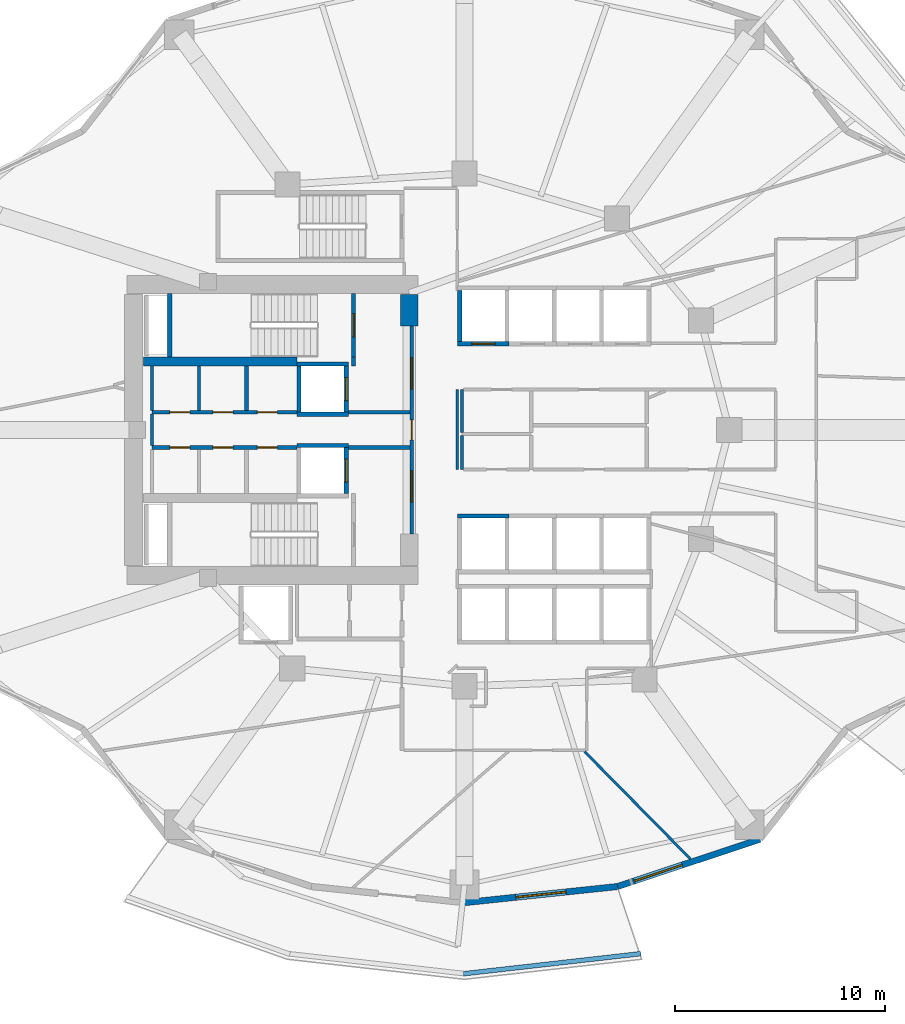
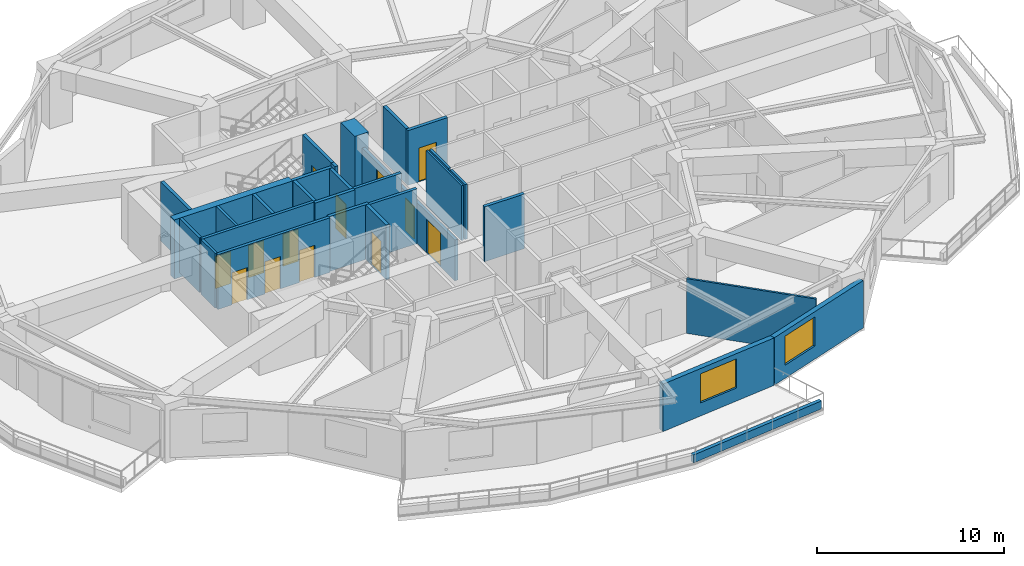
# One storey, part 4 of 13: 30 walls, 13 doors, 2 windows, 15 openings.
"""IFC4 building model written with IfcOpenShell, lengths in metres."""

from ifc_helpers import new_model, si_unit, direction, frame, frame_2d, origin, place, context, subcontext, project, spatial, rectangle, extrude, material, layer, layer_set, type_object, element, fill, save


model = new_model("IFC4")

# Units and contexts
model_context = context("Model", 3, precision=1e-05, world=origin(), true_north=direction((0.0, 1.0)))
body_context = subcontext(model_context, "Body", "Model", "MODEL_VIEW")
ifc_project = project(units=[si_unit("LENGTHUNIT", "METRE"), si_unit("AREAUNIT", "SQUARE_METRE"), si_unit("VOLUMEUNIT", "CUBIC_METRE"), si_unit("PLANEANGLEUNIT", "RADIAN"), si_unit("MASSUNIT", "GRAM", prefix="KILO")], contexts=[model_context])

# Site, building, storey
site_placement = place(None, origin())
site = spatial("IfcSite", under=ifc_project, at=site_placement, CompositionType="ELEMENT")
building_placement = place(site_placement, origin())
building = spatial("IfcBuilding", under=site, at=building_placement, Name="Kolvaren Gate Tower and Convention Centre", CompositionType="ELEMENT")
storey_placement = place(building_placement, frame((0.0, 0.0, 49.60009765625)))
storey = spatial("IfcBuildingStorey", under=building, at=storey_placement, Name="L11", CompositionType="ELEMENT", Elevation=49.60009765625)

# Wall
ifc_material_1 = material(Name="Autoclaved Aerated Masonry Blockwork Class 4 (4.0 MPa)", Category="masonry")
ifc_layer_1 = layer(ifc_material_1, 0.179931640625)
ifc_layer_set_1 = layer_set([ifc_layer_1], Name="Autoclaved Aerated Masonry Blockwork Class 4 (4.0 MPa)")
wall_type_1 = type_object("IfcWallType", Name="ARCH-WL-COMP-180", PredefinedType="SOLIDWALL", material=ifc_layer_set_1)
wall_1_placement = place(storey_placement, frame((24.85009765625, 30.0400390625, 0.0), z_axis=(0.0, 0.0, 1.0), x_axis=(0.0, 1.0, 0.0)))
element("IfcWall", 1, at=wall_1_placement, inside=storey, type_object=wall_type_1, Name="Interior Partition WL-L11-INT-002", PredefinedType="SOLIDWALL", context=body_context, shape_type="SweptSolid", body=[
    extrude(rectangle(XDim=0.419921875, YDim=0.179931640625, at=frame_2d((0.2099609375, 0.0))), origin(), (0.0, 0.0, 1.0), 3.56982421875),
])

# Wall, openings, doors
wall_2_placement = place(storey_placement, frame((27.6201171875, 22.050048828125, 0.0), z_axis=(0.0, 0.0, 1.0), x_axis=(0.0, 1.0, 0.0)))
wall_2 = element("IfcWall", 2, at=wall_2_placement, inside=storey, type_object=wall_type_1, Name="Interior Partition WL-L11-INT-003", PredefinedType="SOLIDWALL", context=body_context, shape_type="SweptSolid", body=[
    extrude(rectangle(XDim=9.89990234375, YDim=0.179931640625, at=frame_2d((4.949951171875, 0.0))), origin(), (0.0, 0.0, 1.0), 2.661865234375),
])
opening_1_placement = place(wall_2_placement, frame((4.47509765625, 0.0, 0.0)))
opening_1 = element("IfcOpeningElement", 3, at=opening_1_placement, cuts=wall_2, Name="Opening DR-01", PredefinedType="OPENING", context=body_context, shape_type="SweptSolid", body=[
    extrude(rectangle(XDim=0.949951171875, YDim=2.10009765625, at=frame_2d((0.47509765625, 1.050048828125))), frame((0.0, 0.099853515625, 0.0), z_axis=(0.0, -1.0, 0.0), x_axis=(1.0, 0.0, 0.0)), (0.0, 0.0, 1.0), 0.199951171875),
])
opening_2_placement = place(wall_2_placement, frame((6.889892578125, 0.0, 0.0)))
opening_2 = element("IfcOpeningElement", 4, at=opening_2_placement, cuts=wall_2, Name="Opening DL-01", PredefinedType="OPENING", context=body_context, shape_type="SweptSolid", body=[
    extrude(rectangle(XDim=1.5, YDim=2.199951171875, at=frame_2d((0.75, 1.10009765625))), frame((0.0, 0.099853515625, 0.0), z_axis=(0.0, -1.0, 0.0), x_axis=(1.0, 0.0, 0.0)), (0.0, 0.0, 1.0), 0.199951171875),
])
opening_3_placement = place(wall_2_placement, frame((1.510009765625, 0.0, 0.0)))
opening_3 = element("IfcOpeningElement", 5, at=opening_3_placement, cuts=wall_2, Name="Opening DL-01", PredefinedType="OPENING", context=body_context, shape_type="SweptSolid", body=[
    extrude(rectangle(XDim=1.5, YDim=2.199951171875, at=frame_2d((0.75, 1.10009765625))), frame((0.0, 0.099853515625, 0.0), z_axis=(0.0, -1.0, 0.0), x_axis=(1.0, 0.0, 0.0)), (0.0, 0.0, 1.0), 0.199951171875),
])
ifc_material_2 = material(Name="Painted Architectural Steelwork ASTM A500 Grade C 345 MPa", Category="steel")
door_type_1 = type_object("IfcDoorType", Name="ARCH-DR-LOBBY-1500", OperationType="DOUBLE_DOOR_SINGLE_SWING", PredefinedType="DOOR", material=ifc_material_2)
door_1_placement = place(opening_2_placement, origin())
door_1 = element("IfcDoor", 6, at=door_1_placement, inside=storey, type_object=door_type_1, Name="North Firefighting Stair and Lift Lobby Door", OperationType="DOUBLE_DOOR_SINGLE_SWING", OverallHeight=2.199951171875, OverallWidth=1.5, PredefinedType="DOOR", context=body_context, shape_type="SweptSolid", body=[
    extrude(rectangle(XDim=1.5, YDim=2.199951171875, at=frame_2d((0.75, 1.10009765625))), frame((0.0, 0.02490234375, 0.0), z_axis=(0.0, -1.0, 0.0), x_axis=(1.0, 0.0, 0.0)), (0.0, 0.0, 1.0), 0.050048828125),
])
fill(opening_2, door_1)
door_2_placement = place(opening_3_placement, origin())
door_2 = element("IfcDoor", 7, at=door_2_placement, inside=storey, type_object=door_type_1, Name="South Firefighting Stair and Lift Lobby Door", OperationType="DOUBLE_DOOR_SINGLE_SWING", OverallHeight=2.199951171875, OverallWidth=1.5, PredefinedType="DOOR", context=body_context, shape_type="SweptSolid", body=[
    extrude(rectangle(XDim=1.5, YDim=2.199951171875, at=frame_2d((0.75, 1.10009765625))), frame((0.0, 0.02490234375, 0.0), z_axis=(0.0, -1.0, 0.0), x_axis=(1.0, 0.0, 0.0)), (0.0, 0.0, 1.0), 0.050048828125),
])
fill(opening_3, door_2)
door_type_2 = type_object("IfcDoorType", Name="ARCH-DR-RISER-950", OperationType="SINGLE_SWING_RIGHT", PredefinedType="DOOR", material=ifc_material_2)
door_3_placement = place(opening_1_placement, origin())
door_3 = element("IfcDoor", 8, at=door_3_placement, inside=storey, type_object=door_type_2, Name="Central MEP Service Corridor Door", OperationType="SINGLE_SWING_LEFT", OverallHeight=2.10009765625, OverallWidth=0.949951171875, PredefinedType="DOOR", context=body_context, shape_type="SweptSolid", body=[
    extrude(rectangle(XDim=0.949951171875, YDim=2.10009765625, at=frame_2d((0.47509765625, 1.050048828125))), frame((0.0, 0.02490234375, 0.0), z_axis=(0.0, -1.0, 0.0), x_axis=(1.0, 0.0, 0.0)), (0.0, 0.0, 1.0), 0.050048828125),
])
fill(opening_1, door_3)

wall_3_placement = place(storey_placement, frame((15.25, 27.840087890625, 0.0), z_axis=(0.0, 0.0, 1.0), x_axis=(1.0, 0.0, 0.0)))
wall_3 = element("IfcWall", 9, at=wall_3_placement, inside=storey, type_object=wall_type_1, Name="Interior Partition WL-L11-INT-004", PredefinedType="SOLIDWALL", context=body_context, shape_type="SweptSolid", body=[
    extrude(rectangle(XDim=6.89990234375, YDim=0.179931640625, at=frame_2d((3.449951171875, 0.0))), origin(), (0.0, 0.0, 1.0), 3.56982421875),
])
opening_4_placement = place(wall_3_placement, frame((5.02001953125, 0.0, 0.0)))
opening_4 = element("IfcOpeningElement", 10, at=opening_4_placement, cuts=wall_3, Name="Opening DR-01", PredefinedType="OPENING", context=body_context, shape_type="SweptSolid", body=[
    extrude(rectangle(XDim=0.949951171875, YDim=2.10009765625, at=frame_2d((0.47509765625, 1.050048828125))), frame((0.0, 0.099853515625, 0.0), z_axis=(0.0, -1.0, 0.0), x_axis=(1.0, 0.0, 0.0)), (0.0, 0.0, 1.0), 0.199951171875),
])
opening_5_placement = place(wall_3_placement, frame((0.85498046875, 0.0, 0.0)))
opening_5 = element("IfcOpeningElement", 11, at=opening_5_placement, cuts=wall_3, Name="Opening DR-01", PredefinedType="OPENING", context=body_context, shape_type="SweptSolid", body=[
    extrude(rectangle(XDim=0.949951171875, YDim=2.10009765625, at=frame_2d((0.47509765625, 1.050048828125))), frame((0.0, 0.099853515625, 0.0), z_axis=(0.0, -1.0, 0.0), x_axis=(1.0, 0.0, 0.0)), (0.0, 0.0, 1.0), 0.199951171875),
])
opening_6_placement = place(wall_3_placement, frame((2.89990234375, 0.0, 0.0)))
opening_6 = element("IfcOpeningElement", 12, at=opening_6_placement, cuts=wall_3, Name="Opening DR-01", PredefinedType="OPENING", context=body_context, shape_type="SweptSolid", body=[
    extrude(rectangle(XDim=0.949951171875, YDim=2.10009765625, at=frame_2d((0.47509765625, 1.050048828125))), frame((0.0, 0.099853515625, 0.0), z_axis=(0.0, -1.0, 0.0), x_axis=(1.0, 0.0, 0.0)), (0.0, 0.0, 1.0), 0.199951171875),
])
door_4_placement = place(opening_4_placement, origin())
door_4 = element("IfcDoor", 13, at=door_4_placement, inside=storey, type_object=door_type_2, Name="Electrical Switchgear Closet Door", OperationType="SINGLE_SWING_RIGHT", OverallHeight=2.10009765625, OverallWidth=0.949951171875, PredefinedType="DOOR", context=body_context, shape_type="SweptSolid", body=[
    extrude(rectangle(XDim=0.949951171875, YDim=2.10009765625, at=frame_2d((0.47509765625, 1.050048828125))), frame((0.0, 0.02490234375, 0.0), z_axis=(0.0, -1.0, 0.0), x_axis=(1.0, 0.0, 0.0)), (0.0, 0.0, 1.0), 0.050048828125),
])
fill(opening_4, door_4)
door_5_placement = place(opening_5_placement, origin())
door_5 = element("IfcDoor", 14, at=door_5_placement, inside=storey, type_object=door_type_2, Name="Staff Accessible WC Door", OperationType="SINGLE_SWING_RIGHT", OverallHeight=2.10009765625, OverallWidth=0.949951171875, PredefinedType="DOOR", context=body_context, shape_type="SweptSolid", body=[
    extrude(rectangle(XDim=0.949951171875, YDim=2.10009765625, at=frame_2d((0.47509765625, 1.050048828125))), frame((0.0, 0.02490234375, 0.0), z_axis=(0.0, -1.0, 0.0), x_axis=(1.0, 0.0, 0.0)), (0.0, 0.0, 1.0), 0.050048828125),
])
fill(opening_5, door_5)
door_6_placement = place(opening_6_placement, origin())
door_6 = element("IfcDoor", 15, at=door_6_placement, inside=storey, type_object=door_type_2, Name="Housekeeping Sink Closet Door", OperationType="SINGLE_SWING_LEFT", OverallHeight=2.10009765625, OverallWidth=0.949951171875, PredefinedType="DOOR", context=body_context, shape_type="SweptSolid", body=[
    extrude(rectangle(XDim=0.949951171875, YDim=2.10009765625, at=frame_2d((0.47509765625, 1.050048828125))), frame((0.0, 0.02490234375, 0.0), z_axis=(0.0, -1.0, 0.0), x_axis=(1.0, 0.0, 0.0)), (0.0, 0.0, 1.0), 0.050048828125),
])
fill(opening_6, door_6)

# Wall
wall_4_placement = place(storey_placement, frame((24.60009765625, 27.840087890625, 0.0), z_axis=(0.0, 0.0, 1.0), x_axis=(1.0, 0.0, 0.0)))
element("IfcWall", 16, at=wall_4_placement, inside=storey, type_object=wall_type_1, Name="Interior Partition WL-L11-INT-004 (2)", PredefinedType="SOLIDWALL", context=body_context, shape_type="SweptSolid", body=[
    extrude(rectangle(XDim=2.927978515625, YDim=0.179931640625, at=frame_2d((1.4638671875, 0.0))), origin(), (0.0, 0.0, 1.0), 3.56982421875),
])

# Wall, openings, doors
wall_5_placement = place(storey_placement, frame((15.25, 26.159912109375, 0.0), z_axis=(0.0, 0.0, 1.0), x_axis=(1.0, 0.0, 0.0)))
wall_5 = element("IfcWall", 17, at=wall_5_placement, inside=storey, type_object=wall_type_1, Name="Interior Partition WL-L11-INT-005", PredefinedType="SOLIDWALL", context=body_context, shape_type="SweptSolid", body=[
    extrude(rectangle(XDim=6.89990234375, YDim=0.179931640625, at=frame_2d((3.449951171875, 0.0))), origin(), (0.0, 0.0, 1.0), 3.56982421875),
])
opening_7_placement = place(wall_5_placement, frame((5.02001953125, 0.0, 0.0)))
opening_7 = element("IfcOpeningElement", 18, at=opening_7_placement, cuts=wall_5, Name="Opening DR-01", PredefinedType="OPENING", context=body_context, shape_type="SweptSolid", body=[
    extrude(rectangle(XDim=0.949951171875, YDim=2.10009765625, at=frame_2d((0.47509765625, 1.050048828125))), frame((0.0, 0.099853515625, 0.0), z_axis=(0.0, -1.0, 0.0), x_axis=(1.0, 0.0, 0.0)), (0.0, 0.0, 1.0), 0.199951171875),
])
opening_8_placement = place(wall_5_placement, frame((0.85498046875, 0.0, 0.0)))
opening_8 = element("IfcOpeningElement", 19, at=opening_8_placement, cuts=wall_5, Name="Opening DR-01", PredefinedType="OPENING", context=body_context, shape_type="SweptSolid", body=[
    extrude(rectangle(XDim=0.949951171875, YDim=2.10009765625, at=frame_2d((0.47509765625, 1.050048828125))), frame((0.0, 0.099853515625, 0.0), z_axis=(0.0, -1.0, 0.0), x_axis=(1.0, 0.0, 0.0)), (0.0, 0.0, 1.0), 0.199951171875),
])
opening_9_placement = place(wall_5_placement, frame((2.89990234375, 0.0, 0.0)))
opening_9 = element("IfcOpeningElement", 20, at=opening_9_placement, cuts=wall_5, Name="Opening DR-01", PredefinedType="OPENING", context=body_context, shape_type="SweptSolid", body=[
    extrude(rectangle(XDim=0.949951171875, YDim=2.10009765625, at=frame_2d((0.47509765625, 1.050048828125))), frame((0.0, 0.099853515625, 0.0), z_axis=(0.0, -1.0, 0.0), x_axis=(1.0, 0.0, 0.0)), (0.0, 0.0, 1.0), 0.199951171875),
])
door_7_placement = place(opening_7_placement, origin())
door_7 = element("IfcDoor", 21, at=door_7_placement, inside=storey, type_object=door_type_2, Name="Domestic Water Meter Closet Door", OperationType="SINGLE_SWING_LEFT", OverallHeight=2.10009765625, OverallWidth=0.949951171875, PredefinedType="DOOR", context=body_context, shape_type="SweptSolid", body=[
    extrude(rectangle(XDim=0.949951171875, YDim=2.10009765625, at=frame_2d((0.47509765625, 1.050048828125))), frame((0.0, 0.02490234375, 0.0), z_axis=(0.0, -1.0, 0.0), x_axis=(1.0, 0.0, 0.0)), (0.0, 0.0, 1.0), 0.050048828125),
])
fill(opening_7, door_7)
door_8_placement = place(opening_8_placement, origin())
door_8 = element("IfcDoor", 22, at=door_8_placement, inside=storey, type_object=door_type_2, Name="Beverage Service Pantry Door", OperationType="SINGLE_SWING_RIGHT", OverallHeight=2.10009765625, OverallWidth=0.949951171875, PredefinedType="DOOR", context=body_context, shape_type="SweptSolid", body=[
    extrude(rectangle(XDim=0.949951171875, YDim=2.10009765625, at=frame_2d((0.47509765625, 1.050048828125))), frame((0.0, 0.02490234375, 0.0), z_axis=(0.0, -1.0, 0.0), x_axis=(1.0, 0.0, 0.0)), (0.0, 0.0, 1.0), 0.050048828125),
])
fill(opening_8, door_8)
door_9_placement = place(opening_9_placement, origin())
door_9 = element("IfcDoor", 23, at=door_9_placement, inside=storey, type_object=door_type_2, Name="Archive Supply Closet Door", OperationType="SINGLE_SWING_LEFT", OverallHeight=2.10009765625, OverallWidth=0.949951171875, PredefinedType="DOOR", context=body_context, shape_type="SweptSolid", body=[
    extrude(rectangle(XDim=0.949951171875, YDim=2.10009765625, at=frame_2d((0.47509765625, 1.050048828125))), frame((0.0, 0.02490234375, 0.0), z_axis=(0.0, -1.0, 0.0), x_axis=(1.0, 0.0, 0.0)), (0.0, 0.0, 1.0), 0.050048828125),
])
fill(opening_9, door_9)

# Walls
wall_6_placement = place(storey_placement, frame((24.60009765625, 26.159912109375, 0.0), z_axis=(0.0, 0.0, 1.0), x_axis=(1.0, 0.0, 0.0)))
element("IfcWall", 24, at=wall_6_placement, inside=storey, type_object=wall_type_1, Name="Interior Partition WL-L11-INT-005 (2)", PredefinedType="SOLIDWALL", context=body_context, shape_type="SweptSolid", body=[
    extrude(rectangle(XDim=2.927978515625, YDim=0.179931640625, at=frame_2d((1.4638671875, 0.0))), origin(), (0.0, 0.0, 1.0), 3.56982421875),
])
wall_7_placement = place(storey_placement, frame((19.75, 27.931884765625, 0.0), z_axis=(0.0, 0.0, 1.0), x_axis=(0.0, 1.0, 0.0)))
element("IfcWall", 25, at=wall_7_placement, inside=storey, type_object=wall_type_1, Name="Interior Partition WL-L11-INT-008", PredefinedType="SOLIDWALL", context=body_context, shape_type="SweptSolid", body=[
    extrude(rectangle(XDim=2.106201171875, YDim=0.179931640625, at=frame_2d((1.05322265625, 0.0))), origin(), (0.0, 0.0, 1.0), 3.56982421875),
])
ifc_material_3 = material(Name="Fire-Rated Acoustic Gypsum Stud Partition", Category="gypsum")
ifc_layer_2 = layer(ifc_material_3, 0.1201171875)
ifc_layer_set_2 = layer_set([ifc_layer_2], Name="Fire-Rated Acoustic Gypsum Stud Partition")
wall_type_2 = type_object("IfcWallType", Name="ARCH-WL-PART-120", PredefinedType="PARTITIONING", material=ifc_layer_set_2)
wall_8_placement = place(storey_placement, frame((29.780029296875, 25.1201171875, 0.0), z_axis=(0.0, 0.0, 1.0), x_axis=(0.0, 1.0, 0.0)))
element("IfcWall", 26, at=wall_8_placement, inside=storey, type_object=wall_type_2, Name="Interior Partition WL-L11-INT-029", PredefinedType="PARTITIONING", context=body_context, shape_type="SweptSolid", body=[
    extrude(rectangle(XDim=3.7998046875, YDim=0.1201171875, at=frame_2d((1.89990234375, 0.0))), origin(), (0.0, 0.0, 1.0), 3.56982421875),
])
wall_9_placement = place(storey_placement, frame((35.841064453125, 11.68798828125, 0.0), z_axis=(0.0, 0.0, 1.0), x_axis=(0.702122050881, -0.712056616897, 0.0)))
element("IfcWall", 27, at=wall_9_placement, inside=storey, type_object=wall_type_2, Name="Interior Partition WL-L11-INT-056", PredefinedType="PARTITIONING", context=body_context, shape_type="SweptSolid", body=[
    extrude(rectangle(XDim=7.17578125, YDim=0.1201171875, at=frame_2d((3.587890625, 0.0))), origin(), (0.0, 0.0, 1.0), 3.56982421875),
])
ifc_material_4 = material(Name="Piedmont Cream Honed Limestone Cladding", Category="masonry")
ifc_layer_3 = layer(ifc_material_4, 0.219970703125)
ifc_layer_set_3 = layer_set([ifc_layer_3], Name="Piedmont Cream Honed Limestone Cladding")
wall_type_3 = type_object("IfcWallType", Name="ARCH-WL-PLANTER-220", PredefinedType="PARAPET", material=ifc_layer_set_3)
wall_10_placement = place(storey_placement, frame((30.07958984375, 1.1162109375, 0.0), z_axis=(0.0, 0.0, 1.0), x_axis=(0.993644541351, 0.112563428535, 0.0)))
element("IfcWall", 28, at=wall_10_placement, inside=storey, type_object=wall_type_3, Name="Vertical-Forest Balcony Stone Planter Kerb PK-L11-3.3", PredefinedType="PARAPET", context=body_context, shape_type="SweptSolid", body=[
    extrude(rectangle(XDim=8.49560546875, YDim=0.219970703125, at=frame_2d((4.247802734375, 0.0))), origin(), (0.0, 0.0, 1.0), 0.52001953125),
])
ifc_layer_4 = layer(ifc_material_1, 0.199951171875)
ifc_layer_set_4 = layer_set([ifc_layer_4], Name="Autoclaved Aerated Masonry Blockwork Class 4 (4.0 MPa)")
wall_type_4 = type_object("IfcWallType", Name="ARCH-WL-SHAFT-200", PredefinedType="SOLIDWALL", material=ifc_layer_set_4)
for number, where, z_axis, x_axis, name in (
    (29, (22.14990234375, 30.139892578125, 0.0), (0.0, 0.0, 1.0), (1.0, 0.0, 0.0), "Elevator FF-01 L11 Fire Shaft Wall N"),
    (30, (22.14990234375, 27.739990234375, 0.0), (0.0, 0.0, 1.0), (1.0, 0.0, 0.0), "Elevator FF-01 L11 Fire Shaft Wall S"),
):
    element("IfcWall", number, at=place(storey_placement, frame(where, z_axis=z_axis, x_axis=x_axis)), inside=storey, type_object=wall_type_4, Name=name, PredefinedType="SOLIDWALL", context=body_context, shape_type="SweptSolid", body=[
        extrude(rectangle(XDim=2.4501953125, YDim=0.199951171875, at=frame_2d((1.22509765625, 0.0))), origin(), (0.0, 0.0, 1.0), 3.56982421875),
    ])
wall_11_placement = place(storey_placement, frame((22.25, 27.85009765625, 0.0), z_axis=(0.0, 0.0, 1.0), x_axis=(0.0, 1.0, 0.0)))
element("IfcWall", 31, at=wall_11_placement, inside=storey, type_object=wall_type_4, Name="Elevator FF-01 L11 Fire Shaft Wall W", PredefinedType="SOLIDWALL", context=body_context, shape_type="SweptSolid", body=[
    extrude(rectangle(XDim=2.179931640625, YDim=0.199951171875, at=frame_2d((1.08984375, 0.0))), origin(), (0.0, 0.0, 1.0), 3.56982421875),
])

# Wall, opening, door
wall_12_placement = place(storey_placement, frame((24.5, 27.85009765625, 0.0), z_axis=(0.0, 0.0, 1.0), x_axis=(0.0, 1.0, 0.0)))
wall_12 = element("IfcWall", 32, at=wall_12_placement, inside=storey, type_object=wall_type_4, Name="Elevator FF-01 L11 Fire Shaft Wall E", PredefinedType="SOLIDWALL", context=body_context, shape_type="SweptSolid", body=[
    extrude(rectangle(XDim=2.179931640625, YDim=0.199951171875, at=frame_2d((1.08984375, 0.0))), origin(), (0.0, 0.0, 1.0), 3.56982421875),
])
opening_10_placement = place(wall_12_placement, frame((0.5400390625, 0.0, 0.0)))
opening_10 = element("IfcOpeningElement", 33, at=opening_10_placement, cuts=wall_12, Name="Opening LD", PredefinedType="OPENING", context=body_context, shape_type="SweptSolid", body=[
    extrude(rectangle(XDim=1.10009765625, YDim=2.199951171875, at=frame_2d((0.550048828125, 1.10009765625))), frame((0.0, 0.10986328125, 0.0), z_axis=(0.0, -1.0, 0.0), x_axis=(1.0, 0.0, 0.0)), (0.0, 0.0, 1.0), 0.219970703125),
])
ifc_material_5 = material(Name="Brushed Stainless Steel Grade 316L", Category="steel")
door_type_3 = type_object("IfcDoorType", Name="ARCH-DR-LIFT-1100", OperationType="SLIDING_TO_LEFT", PredefinedType="DOOR", material=ifc_material_5)
door_10_placement = place(opening_10_placement, origin())
door_10 = element("IfcDoor", 34, at=door_10_placement, inside=storey, type_object=door_type_3, Name="Elevator FF-01 L11 Sliding Landing Door", OperationType="SLIDING_TO_LEFT", OverallHeight=2.199951171875, OverallWidth=1.10009765625, PredefinedType="DOOR", context=body_context, shape_type="SweptSolid", body=[
    extrude(rectangle(XDim=1.10009765625, YDim=2.199951171875, at=frame_2d((0.550048828125, 1.10009765625))), frame((0.0, 0.02490234375, 0.0), z_axis=(0.0, -1.0, 0.0), x_axis=(1.0, 0.0, 0.0)), (0.0, 0.0, 1.0), 0.050048828125),
])
fill(opening_10, door_10)

# Wall
wall_13_placement = place(storey_placement, frame((22.14990234375, 26.260009765625, 0.0), z_axis=(0.0, 0.0, 1.0), x_axis=(1.0, 0.0, 0.0)))
element("IfcWall", 35, at=wall_13_placement, inside=storey, type_object=wall_type_4, Name="Elevator FF-02 L11 Fire Shaft Wall N", PredefinedType="SOLIDWALL", context=body_context, shape_type="SweptSolid", body=[
    extrude(rectangle(XDim=2.4501953125, YDim=0.199951171875, at=frame_2d((1.22509765625, 0.0))), origin(), (0.0, 0.0, 1.0), 3.56982421875),
])

# Wall, opening, door
wall_14_placement = place(storey_placement, frame((24.5, 23.969970703125, 0.0), z_axis=(0.0, 0.0, 1.0), x_axis=(0.0, 1.0, 0.0)))
wall_14 = element("IfcWall", 36, at=wall_14_placement, inside=storey, type_object=wall_type_4, Name="Elevator FF-02 L11 Fire Shaft Wall E", PredefinedType="SOLIDWALL", context=body_context, shape_type="SweptSolid", body=[
    extrude(rectangle(XDim=2.179931640625, YDim=0.199951171875, at=frame_2d((1.08984375, 0.0))), origin(), (0.0, 0.0, 1.0), 3.56982421875),
])
opening_11_placement = place(wall_14_placement, frame((0.5400390625, 0.0, 0.0)))
opening_11 = element("IfcOpeningElement", 37, at=opening_11_placement, cuts=wall_14, Name="Opening LD", PredefinedType="OPENING", context=body_context, shape_type="SweptSolid", body=[
    extrude(rectangle(XDim=1.10009765625, YDim=2.199951171875, at=frame_2d((0.550048828125, 1.10009765625))), frame((0.0, 0.10986328125, 0.0), z_axis=(0.0, -1.0, 0.0), x_axis=(1.0, 0.0, 0.0)), (0.0, 0.0, 1.0), 0.219970703125),
])
door_11_placement = place(opening_11_placement, origin())
door_11 = element("IfcDoor", 38, at=door_11_placement, inside=storey, type_object=door_type_3, Name="Elevator FF-02 L11 Sliding Landing Door", OperationType="SLIDING_TO_LEFT", OverallHeight=2.199951171875, OverallWidth=1.10009765625, PredefinedType="DOOR", context=body_context, shape_type="SweptSolid", body=[
    extrude(rectangle(XDim=1.10009765625, YDim=2.199951171875, at=frame_2d((0.550048828125, 1.10009765625))), frame((0.0, 0.02490234375, 0.0), z_axis=(0.0, -1.0, 0.0), x_axis=(1.0, 0.0, 0.0)), (0.0, 0.0, 1.0), 0.050048828125),
])
fill(opening_11, door_11)

wall_15_placement = place(storey_placement, frame((29.800048828125, 31.10009765625, 0.0), z_axis=(0.0, 0.0, 1.0), x_axis=(1.0, 0.0, 0.0)))
wall_15 = element("IfcWall", 39, at=wall_15_placement, inside=storey, type_object=wall_type_4, Name="Elevator PL-01 L11 Fire Shaft Wall S", PredefinedType="SOLIDWALL", context=body_context, shape_type="SweptSolid", body=[
    extrude(rectangle(XDim=2.449951171875, YDim=0.199951171875, at=frame_2d((1.22509765625, 0.0))), origin(), (0.0, 0.0, 1.0), 3.56982421875),
])
opening_12_placement = place(wall_15_placement, frame((0.675048828125, 0.0, 0.0)))
opening_12 = element("IfcOpeningElement", 40, at=opening_12_placement, cuts=wall_15, Name="Opening LD", PredefinedType="OPENING", context=body_context, shape_type="SweptSolid", body=[
    extrude(rectangle(XDim=1.10009765625, YDim=2.199951171875, at=frame_2d((0.550048828125, 1.10009765625))), frame((0.0, 0.10986328125, 0.0), z_axis=(0.0, -1.0, 0.0), x_axis=(1.0, 0.0, 0.0)), (0.0, 0.0, 1.0), 0.219970703125),
])
door_12_placement = place(opening_12_placement, origin())
door_12 = element("IfcDoor", 41, at=door_12_placement, inside=storey, type_object=door_type_3, Name="Elevator PL-01 L11 Sliding Landing Door", OperationType="SLIDING_TO_LEFT", OverallHeight=2.199951171875, OverallWidth=1.10009765625, PredefinedType="DOOR", context=body_context, shape_type="SweptSolid", body=[
    extrude(rectangle(XDim=1.10009765625, YDim=2.199951171875, at=frame_2d((0.550048828125, 1.10009765625))), frame((0.0, 0.02490234375, 0.0), z_axis=(0.0, -1.0, 0.0), x_axis=(1.0, 0.0, 0.0)), (0.0, 0.0, 1.0), 0.050048828125),
])
fill(opening_12, door_12)

# Walls
wall_16_placement = place(storey_placement, frame((29.89990234375, 31.2099609375, 0.0), z_axis=(0.0, 0.0, 1.0), x_axis=(0.0, 1.0, 0.0)))
element("IfcWall", 42, at=wall_16_placement, inside=storey, type_object=wall_type_4, Name="Elevator PL-01 L11 Fire Shaft Wall W", PredefinedType="SOLIDWALL", context=body_context, shape_type="SweptSolid", body=[
    extrude(rectangle(XDim=2.429931640625, YDim=0.199951171875, at=frame_2d((1.21484375, 0.0))), origin(), (0.0, 0.0, 1.0), 3.56982421875),
])
wall_17_placement = place(storey_placement, frame((29.800048828125, 22.89990234375, 0.0), z_axis=(0.0, 0.0, 1.0), x_axis=(1.0, 0.0, 0.0)))
element("IfcWall", 43, at=wall_17_placement, inside=storey, type_object=wall_type_4, Name="Elevator PL-09 L11 Fire Shaft Wall N", PredefinedType="SOLIDWALL", context=body_context, shape_type="SweptSolid", body=[
    extrude(rectangle(XDim=2.449951171875, YDim=0.199951171875, at=frame_2d((1.22509765625, 0.0))), origin(), (0.0, 0.0, 1.0), 3.56982421875),
])

# Wall, opening, window
ifc_layer_5 = layer(ifc_material_4, 0.300048828125)
ifc_layer_set_5 = layer_set([ifc_layer_5], Name="Piedmont Cream Honed Limestone Cladding")
wall_type_5 = type_object("IfcWallType", Name="ARCH-WL-STONE-300", PredefinedType="SOLIDWALL", material=ifc_layer_set_5)
wall_18_placement = place(storey_placement, frame((30.125, 4.5, 0.0), z_axis=(0.0, 0.0, 1.0), x_axis=(0.994500334317, 0.104733399844, 0.0)))
wall_18 = element("IfcWall", 44, at=wall_18_placement, inside=storey, type_object=wall_type_5, Name="Tower L11 Honed Stone Spandrel Wall EW-18", PredefinedType="SOLIDWALL", context=body_context, shape_type="SweptSolid", body=[
    extrude(rectangle(XDim=7.319580078125, YDim=0.300048828125, at=frame_2d((3.65966796875, 0.0))), origin(), (0.0, 0.0, 1.0), 3.093017578125),
])
opening_13_placement = place(wall_18_placement, frame((2.4599609375, 0.0, 0.85009765625)))
opening_13 = element("IfcOpeningElement", 45, at=opening_13_placement, cuts=wall_18, Name="Opening W-01", PredefinedType="OPENING", context=body_context, shape_type="SweptSolid", body=[
    extrude(rectangle(XDim=2.39990234375, YDim=1.89990234375, at=frame_2d((1.199951171875, 0.949951171875))), frame((0.0, 0.159912109375, 0.0), z_axis=(0.0, -1.0, 0.0), x_axis=(1.0, 0.0, 0.0)), (0.0, 0.0, 1.0), 0.320068359375),
])
ifc_material_6 = material(Name="Low-E Triple Insulated Glazing Unit 44 mm", Category="glass")
window_type = type_object("IfcWindowType", Name="ARCH-WN-OFF-2400", PartitioningType="SINGLE_PANEL", PredefinedType="WINDOW", material=ifc_material_6)
window_1_placement = place(opening_13_placement, origin())
window_1 = element("IfcWindow", 46, at=window_1_placement, inside=storey, type_object=window_type, Name="Tower L11 Punched Stone Facade Window W-18", OverallHeight=1.89990234375, OverallWidth=2.39990234375, PartitioningType="SINGLE_PANEL", PredefinedType="WINDOW", context=body_context, shape_type="SweptSolid", body=[
    extrude(rectangle(XDim=2.39990234375, YDim=1.89990234375, at=frame_2d((1.199951171875, 0.949951171875))), frame((0.0, 0.030029296875, 0.0), z_axis=(0.0, -1.0, 0.0), x_axis=(1.0, 0.0, 0.0)), (0.0, 0.0, 1.0), 0.06005859375),
])
fill(opening_13, window_1)

wall_19_placement = place(storey_placement, frame((37.404296875, 5.2666015625, 0.0), z_axis=(0.0, 0.0, 1.0), x_axis=(0.949238715533, 0.31455661006, 0.0)))
wall_19 = element("IfcWall", 47, at=wall_19_placement, inside=storey, type_object=wall_type_5, Name="Tower L11 Honed Stone Spandrel Wall EW-19", PredefinedType="SOLIDWALL", context=body_context, shape_type="SweptSolid", body=[
    extrude(rectangle(XDim=7.14599609375, YDim=0.300048828125, at=frame_2d((3.572998046875, 0.0))), origin(), (0.0, 0.0, 1.0), 3.093017578125),
])
opening_14_placement = place(wall_19_placement, frame((0.85009765625, 0.0, 0.85009765625)))
opening_14 = element("IfcOpeningElement", 48, at=opening_14_placement, cuts=wall_19, Name="Opening W-01", PredefinedType="OPENING", context=body_context, shape_type="SweptSolid", body=[
    extrude(rectangle(XDim=2.39990234375, YDim=1.89990234375, at=frame_2d((1.199951171875, 0.949951171875))), frame((0.0, 0.159912109375, 0.0), z_axis=(0.0, -1.0, 0.0), x_axis=(1.0, 0.0, 0.0)), (0.0, 0.0, 1.0), 0.320068359375),
])
window_2_placement = place(opening_14_placement, origin())
window_2 = element("IfcWindow", 49, at=window_2_placement, inside=storey, type_object=window_type, Name="Tower L11 Punched Stone Facade Window W-19", OverallHeight=1.89990234375, OverallWidth=2.39990234375, PartitioningType="SINGLE_PANEL", PredefinedType="WINDOW", context=body_context, shape_type="SweptSolid", body=[
    extrude(rectangle(XDim=2.39990234375, YDim=1.89990234375, at=frame_2d((1.199951171875, 0.949951171875))), frame((0.0, 0.030029296875, 0.0), z_axis=(0.0, -1.0, 0.0), x_axis=(1.0, 0.0, 0.0)), (0.0, 0.0, 1.0), 0.06005859375),
])
fill(opening_14, window_2)

# Walls
ifc_material_7 = material(Name="Moisture-Resistant Cement-Board Acoustic Partition", Category="gypsum")
ifc_layer_6 = layer(ifc_material_7, 0.14990234375)
ifc_layer_set_6 = layer_set([ifc_layer_6], Name="Moisture-Resistant Cement-Board Acoustic Partition")
wall_type_6 = type_object("IfcWallType", Name="ARCH-WL-WET-150", PredefinedType="PARTITIONING", material=ifc_layer_set_6)
wall_20_placement = place(storey_placement, frame((15.25, 26.251953125, 0.0), z_axis=(0.0, 0.0, 1.0), x_axis=(0.0, 1.0, 0.0)))
element("IfcWall", 50, at=wall_20_placement, inside=storey, type_object=wall_type_6, Name="Interior Partition WL-L11-INT-006 (2)", PredefinedType="PARTITIONING", context=body_context, shape_type="SweptSolid", body=[
    extrude(rectangle(XDim=1.49609375, YDim=0.14990234375, at=frame_2d((0.748046875, 0.0))), origin(), (0.0, 0.0, 1.0), 3.56982421875),
])
for number, where, z_axis, x_axis, name in (
    (51, (15.25, 27.931884765625, 0.0), (0.0, 0.0, 1.0), (0.0, 1.0, 0.0), "Interior Partition WL-L11-INT-006 (3)"),
    (52, (17.5, 27.931884765625, 0.0), (0.0, 0.0, 1.0), (0.0, 1.0, 0.0), "Interior Partition WL-L11-INT-010"),
):
    element("IfcWall", number, at=place(storey_placement, frame(where, z_axis=z_axis, x_axis=x_axis)), inside=storey, type_object=wall_type_6, Name=name, PredefinedType="PARTITIONING", context=body_context, shape_type="SweptSolid", body=[
        extrude(rectangle(XDim=2.106201171875, YDim=0.14990234375, at=frame_2d((1.05322265625, 0.0))), origin(), (0.0, 0.0, 1.0), 3.56982421875),
    ])
wall_21_placement = place(storey_placement, frame((30.0, 25.1201171875, 0.0), z_axis=(0.0, 0.0, 1.0), x_axis=(0.0, 1.0, 0.0)))
element("IfcWall", 53, at=wall_21_placement, inside=storey, type_object=wall_type_6, Name="Interior Partition WL-L11-INT-016", PredefinedType="PARTITIONING", context=body_context, shape_type="SweptSolid", body=[
    extrude(rectangle(XDim=1.602783203125, YDim=0.14990234375, at=frame_2d((0.80126953125, 0.0))), origin(), (0.0, 0.0, 1.0), 3.56982421875),
])
wall_22_placement = place(storey_placement, frame((30.0, 26.876953125, 0.0), z_axis=(0.0, 0.0, 1.0), x_axis=(0.0, 1.0, 0.0)))
element("IfcWall", 54, at=wall_22_placement, inside=storey, type_object=wall_type_6, Name="Interior Partition WL-L11-INT-016 (2)", PredefinedType="PARTITIONING", context=body_context, shape_type="SweptSolid", body=[
    extrude(rectangle(XDim=2.04296875, YDim=0.14990234375, at=frame_2d((1.021484375, 0.0))), origin(), (0.0, 0.0, 1.0), 3.56982421875),
])
ifc_material_8 = material(Name="Concrete C50/60", Category="concrete")
ifc_layer_7 = layer(ifc_material_8, 0.419921875)
ifc_layer_set_7 = layer_set([ifc_layer_7], Name="Concrete C50/60")
wall_type_7 = type_object("IfcWallType", Name="STR-WL-CONV-420", PredefinedType="SHEAR", material=ifc_layer_set_7)
wall_23_placement = place(storey_placement, frame((14.85009765625, 30.25, -0.280029296875), z_axis=(0.0, 0.0, 1.0), x_axis=(1.0, 0.0, 0.0)))
element("IfcWall", 55, at=wall_23_placement, inside=storey, type_object=wall_type_7, Name="Tower L11 Offset Core Shear Wall WN", PredefinedType="SHEAR", context=body_context, shape_type="SweptSolid", body=[
    extrude(rectangle(XDim=7.2998046875, YDim=0.419921875, at=frame_2d((3.64990234375, 0.0))), origin(), (0.0, 0.0, 1.0), 3.849853515625),
])
ifc_material_9 = material(Name="Concrete C70/85", Category="concrete")
ifc_layer_8 = layer(ifc_material_9, 0.85009765625)
ifc_layer_set_8 = layer_set([ifc_layer_8], Name="Concrete C70/85")
wall_type_8 = type_object("IfcWallType", Name="STR-WL-CORE-850", PredefinedType="SHEAR", material=ifc_layer_set_8)
wall_24_placement = place(storey_placement, frame((27.5, 31.949951171875, -0.280029296875), z_axis=(0.0, 0.0, 1.0), x_axis=(0.0, 1.0, 0.0)))
element("IfcWall", 56, at=wall_24_placement, inside=storey, type_object=wall_type_8, Name="Tower L11 Offset Core Shear Wall EN", PredefinedType="SHEAR", context=body_context, shape_type="SweptSolid", body=[
    extrude(rectangle(XDim=1.5, YDim=0.85009765625, at=frame_2d((0.75, 0.0))), origin(), (0.0, 0.0, 1.0), 3.849853515625),
])

# Wall, opening, door
ifc_layer_9 = layer(ifc_material_8, 0.199951171875)
ifc_layer_set_9 = layer_set([ifc_layer_9], Name="Concrete C50/60")
wall_type_9 = type_object("IfcWallType", Name="STR-WL-SHAFT-200", PredefinedType="SHEAR", material=ifc_layer_set_9)
wall_25_placement = place(storey_placement, frame((24.85009765625, 30.4599609375, -0.280029296875), z_axis=(0.0, 0.0, 1.0), x_axis=(0.0, 1.0, 0.0)))
wall_25 = element("IfcWall", 57, at=wall_25_placement, inside=storey, type_object=wall_type_9, Name="Tower North Exit Stair ST-T1 L11 Structural Shear Enclosure Wall NEAR", PredefinedType="SHEAR", context=body_context, shape_type="SweptSolid", body=[
    extrude(rectangle(XDim=3.0380859375, YDim=0.199951171875, at=frame_2d((1.51904296875, 0.0))), origin(), (0.0, 0.0, 1.0), 3.849853515625),
])
opening_15_placement = place(wall_25_placement, frame((0.968994140625, 0.0, 0.280029296875)))
opening_15 = element("IfcOpeningElement", 58, at=opening_15_placement, cuts=wall_25, Name="Opening DS-01", PredefinedType="OPENING", context=body_context, shape_type="SweptSolid", body=[
    extrude(rectangle(XDim=1.10009765625, YDim=2.14990234375, at=frame_2d((0.550048828125, 1.074951171875))), frame((0.0, 0.10986328125, 0.0), z_axis=(0.0, -1.0, 0.0), x_axis=(1.0, 0.0, 0.0)), (0.0, 0.0, 1.0), 0.219970703125),
])
door_type_4 = type_object("IfcDoorType", Name="ARCH-DR-STAIR-1100", OperationType="SINGLE_SWING_LEFT", PredefinedType="DOOR", material=ifc_material_2)
door_13_placement = place(opening_15_placement, origin())
door_13 = element("IfcDoor", 59, at=door_13_placement, inside=storey, type_object=door_type_4, Name="Tower North Exit Stair ST-T1 L11 Fire Exit Stair Door", OperationType="SINGLE_SWING_LEFT", OverallHeight=2.14990234375, OverallWidth=1.10009765625, PredefinedType="DOOR", context=body_context, shape_type="SweptSolid", body=[
    extrude(rectangle(XDim=1.10009765625, YDim=2.14990234375, at=frame_2d((0.550048828125, 1.074951171875))), frame((0.0, 0.02490234375, 0.0), z_axis=(0.0, -1.0, 0.0), x_axis=(1.0, 0.0, 0.0)), (0.0, 0.0, 1.0), 0.050048828125),
])
fill(opening_15, door_13)

# Wall
wall_26_placement = place(storey_placement, frame((16.10009765625, 30.4619140625, -0.280029296875), z_axis=(0.0, 0.0, 1.0), x_axis=(0.0, 1.0, 0.0)))
element("IfcWall", 60, at=wall_26_placement, inside=storey, type_object=wall_type_9, Name="Tower North Exit Stair ST-T1 L11 Structural Shear Enclosure Wall FAR", PredefinedType="SHEAR", context=body_context, shape_type="SweptSolid", body=[
    extrude(rectangle(XDim=3.0361328125, YDim=0.199951171875, at=frame_2d((1.51806640625, 0.0))), origin(), (0.0, 0.0, 1.0), 3.849853515625),
])

save(model, "model.ifc")
